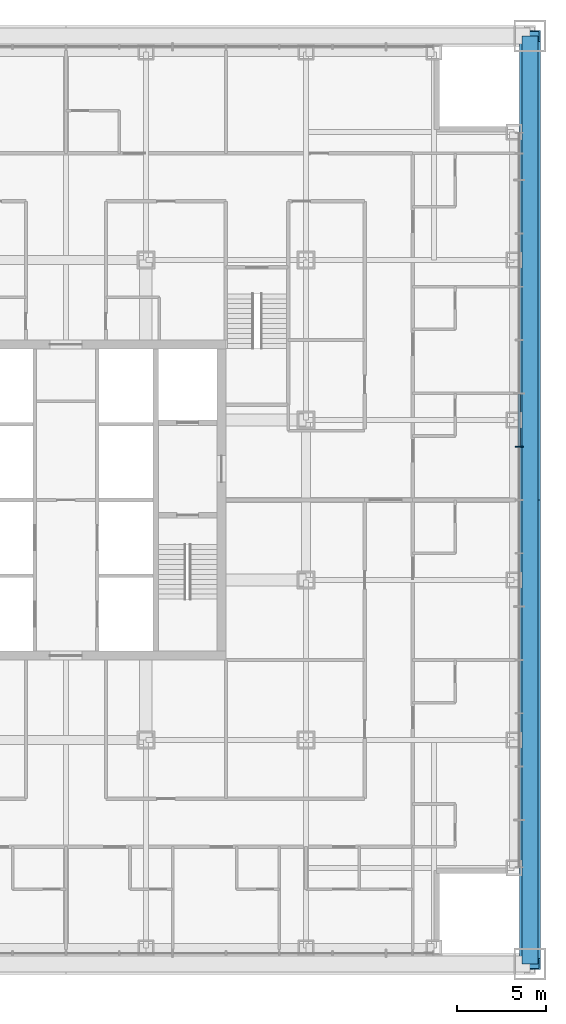
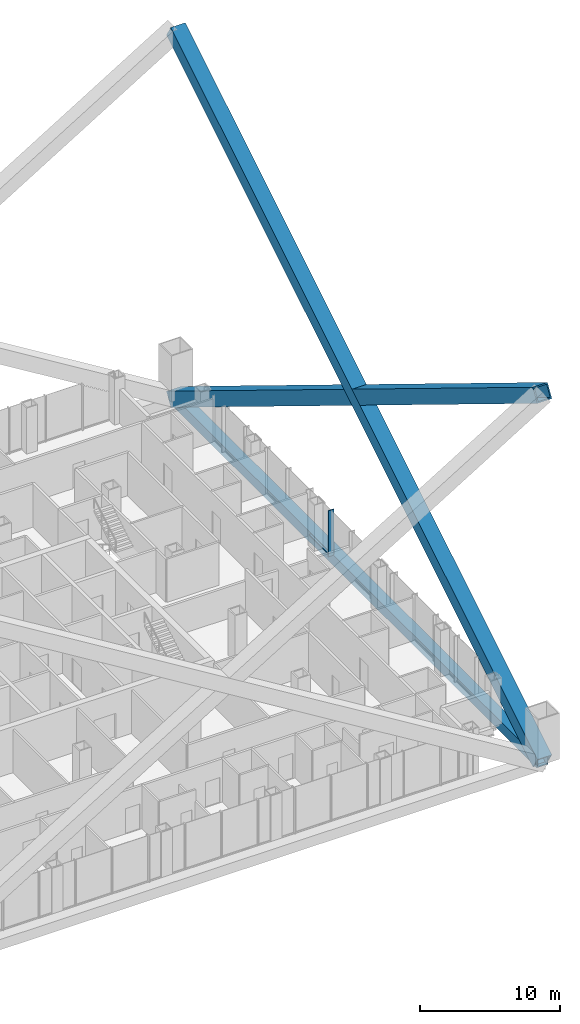
# One storey, part 7 of 21: 5 members, 1 element without a shape of its own.
"""IFC4 building model written with IfcOpenShell, lengths in metres."""

import ifcopenshell
import ifcopenshell.guid

model = None  # the IFC model being written
_history = None  # IfcOwnerHistory: only IFC2X3 demands one
_inside = {}  # id of a spatial element -> (the spatial element, [elements in it])
_under = {}  # id of a project, library or spatial element -> (it, [spatial elements below it])
_declared = {}  # id of a project -> (the project, [libraries it declares])
_typed = {}  # id of a type object -> (the type object, [elements of that type])
_made_of = {}  # id of a material, layer set ... -> (it, [elements and type objects made of it])


def new_model(schema):
    """Start an empty IFC model of exactly this schema.

    Asked for "IFC4X3", IfcOpenShell would pick the latest addendum, in which some entities
    have other attributes; the version numbers below select the first issue.
    IFC2X3 requires an IfcOwnerHistory on every rooted entity: one is made here for all.
    """
    global model, _history
    if schema == "IFC4X3":
        model = ifcopenshell.file(schema_version=(4, 3, 0, 0))
    else:
        model = ifcopenshell.file(schema=schema)
    _inside.clear()
    _under.clear()
    _declared.clear()
    _typed.clear()
    _made_of.clear()
    _history = None
    if model.schema == "IFC2X3":
        org = make("IfcOrganization", Name="unknown")
        user = make(
            "IfcPersonAndOrganization",
            ThePerson=make("IfcPerson", FamilyName="unknown"),
            TheOrganization=org,
        )
        app = make(
            "IfcApplication",
            ApplicationDeveloper=org,
            Version="unknown",
            ApplicationFullName="unknown",
            ApplicationIdentifier="unknown",
        )
        _history = make(
            "IfcOwnerHistory",
            OwningUser=user,
            OwningApplication=app,
            ChangeAction="ADDED",
            CreationDate=0,
        )
    return model


def make(cls, **values):
    """One entity of the class cls with the attributes given. An attribute that is None is left unset."""
    return model.create_entity(
        cls, **{name: value for name, value in values.items() if value is not None}
    )


def rooted(cls, **values):
    """An entity with a GlobalId (a new one), such as an element, a storey or a relation."""
    return make(cls, GlobalId=ifcopenshell.guid.new(), OwnerHistory=_history, **values)


def si_unit(unit_type, name, prefix=None):
    """IfcSIUnit, for example si_unit("LENGTHUNIT", "METRE", prefix="MILLI")."""
    return make("IfcSIUnit", UnitType=unit_type, Prefix=prefix, Name=name)


def assignment(units):
    """IfcUnitAssignment: the units of a project."""
    return None if units is None else make("IfcUnitAssignment", Units=units)


def point(xyz):
    """IfcCartesianPoint."""
    return None if xyz is None else make("IfcCartesianPoint", Coordinates=xyz)


def direction(xyz):
    """IfcDirection."""
    return None if xyz is None else make("IfcDirection", DirectionRatios=xyz)


def frame(location, z_axis=None, x_axis=None):
    """IfcAxis2Placement3D, a coordinate frame: its origin and axes. An axis left out is left unset."""
    return make(
        "IfcAxis2Placement3D",
        Location=point(location),
        Axis=direction(z_axis),
        RefDirection=direction(x_axis),
    )


def frame_2d(location, x_axis=None):
    """IfcAxis2Placement2D, a coordinate frame in the plane: its origin and x axis."""
    return make(
        "IfcAxis2Placement2D", Location=point(location), RefDirection=direction(x_axis)
    )


def origin():
    """The frame at (0, 0, 0) with its axes left unset."""
    return frame((0.0, 0.0, 0.0))


def origin_2d():
    """The frame at (0, 0) in the plane with its x axis left unset."""
    return frame_2d((0.0, 0.0))


def place(relative_to, where):
    """IfcLocalPlacement: puts the frame where relative to a parent placement (None: the world)."""
    return make(
        "IfcLocalPlacement", PlacementRelTo=relative_to, RelativePlacement=where
    )


def context(
    kind, dimensions, precision=None, world=None, true_north=None, identifier=None
):
    """IfcGeometricRepresentationContext, for example the 3D "Model" context."""
    return make(
        "IfcGeometricRepresentationContext",
        ContextIdentifier=identifier,
        ContextType=kind,
        CoordinateSpaceDimension=dimensions,
        Precision=precision,
        WorldCoordinateSystem=world,
        TrueNorth=true_north,
    )


def subcontext(parent, identifier, kind, view, scale=None):
    """IfcGeometricRepresentationSubContext, for example "Body" below "Model"."""
    return make(
        "IfcGeometricRepresentationSubContext",
        ContextIdentifier=identifier,
        ContextType=kind,
        ParentContext=parent,
        TargetScale=scale,
        TargetView=view,
    )


def project(units=None, contexts=None):
    """IfcProject with its units and contexts."""
    return rooted(
        "IfcProject",
        Name="project",
        RepresentationContexts=contexts,
        UnitsInContext=assignment(units),
    )


def spatial(cls, under=None, at=None, **own):
    """A site, building, storey or space (cls), placed at a placement, below another one or the project."""
    s = rooted(cls, ObjectPlacement=at, **own)
    if under is not None:
        _under.setdefault(under.id(), (under, []))[1].append(s)
    return s


def profile(cls, at=None, kind="AREA", **sizes):
    """A parametric profile (cls). Its sizes go by their IFC names, for example OverallWidth=200.0."""
    return make(cls, ProfileType=kind, Position=at, **sizes)


def rectangle(**sizes):
    """IfcRectangleProfileDef."""
    return profile("IfcRectangleProfileDef", **sizes)


def hollow_rectangle(**sizes):
    """IfcRectangleHollowProfileDef."""
    return profile("IfcRectangleHollowProfileDef", **sizes)


def extrude(swept, where, along, depth):
    """IfcExtrudedAreaSolid: the profile swept, set in the frame where, extruded along a direction by depth."""
    return make(
        "IfcExtrudedAreaSolid",
        SweptArea=swept,
        Position=where,
        ExtrudedDirection=direction(along),
        Depth=depth,
    )


def shape(context_of_items, identifier, shape_type, items):
    """IfcShapeRepresentation: the items that make up one representation, for example the "Body"."""
    return make(
        "IfcShapeRepresentation",
        ContextOfItems=context_of_items,
        RepresentationIdentifier=identifier,
        RepresentationType=shape_type,
        Items=items,
    )


def material(Name=None, Category=None):
    """IfcMaterial."""
    return make("IfcMaterial", Name=Name, Category=Category)


def layer(
    of_material, thickness, ventilated=None, Name=None, Category=None, Priority=None
):
    """IfcMaterialLayer: one layer of a wall or slab, of a material (None: an air gap)."""
    return make(
        "IfcMaterialLayer",
        Material=of_material,
        LayerThickness=thickness,
        IsVentilated=ventilated,
        Name=Name,
        Category=Category,
        Priority=Priority,
    )


def layer_set(layers, Name=None):
    """IfcMaterialLayerSet."""
    return make("IfcMaterialLayerSet", MaterialLayers=layers, LayerSetName=Name)


def material_profile(
    of_material, cross_section, Name=None, Category=None, Priority=None
):
    """IfcMaterialProfile: a cross section and its material."""
    return make(
        "IfcMaterialProfile",
        Name=Name,
        Material=of_material,
        Profile=cross_section,
        Priority=Priority,
        Category=Category,
    )


def profile_set(profiles, Name=None, composite=None):
    """IfcMaterialProfileSet."""
    return make(
        "IfcMaterialProfileSet",
        Name=Name,
        MaterialProfiles=profiles,
        CompositeProfile=composite,
    )


def made_of(thing, what):
    """Note that an element or type object is made of a material, layer set ...; save() writes the relation."""
    if what is not None:
        _made_of.setdefault(what.id(), (what, []))[1].append(thing)
    return thing


def type_object(cls, material=None, **own):
    """A type object (cls), such as IfcWallType, which elements share."""
    return made_of(rooted(cls, **own), material)


def element(
    cls,
    number,
    at=None,
    inside=None,
    cuts=None,
    type_object=None,
    material=None,
    context=None,
    identifier="Body",
    shape_type=None,
    held_by="IfcProductDefinitionShape",
    body=None,
    shapes=None,
    **own,
):
    """One element of the class cls, such as IfcWall. Its Tag is "e" and its number.

    at: its placement. inside: the storey or other place that contains it. cuts: it is an
    opening in that element (IfcRelVoidsElement). A single representation is given by context,
    identifier, shape_type and body (its items); several are given by shapes. held_by: the class
    of the entity that holds the representations. save() writes the other relations.
    """
    e = rooted(cls, Tag="e%d" % number, ObjectPlacement=at, **own)
    if body is not None:
        shapes = [shape(context, identifier, shape_type, body)]
    if shapes is not None:
        e.Representation = make(held_by, Representations=shapes)
    if inside is not None:
        _inside.setdefault(inside.id(), (inside, []))[1].append(e)
    if cuts is not None:
        rooted(
            "IfcRelVoidsElement", RelatingBuildingElement=cuts, RelatedOpeningElement=e
        )
    if type_object is not None:
        _typed.setdefault(type_object.id(), (type_object, []))[1].append(e)
    return made_of(e, material)


def aggregate(whole, parts):
    """IfcRelAggregates: a whole, such as a stair, and the parts it consists of."""
    return rooted("IfcRelAggregates", RelatingObject=whole, RelatedObjects=parts)


def save(model, path):
    """Write the relations noted so far, then the file.

    IfcRelAggregates (storeys below a building ...), IfcRelContainedInSpatialStructure (elements
    in a storey), IfcRelDefinesByType, IfcRelAssociatesMaterial and IfcRelDeclares: one each for
    every whole, place, type object, material and project.
    """
    for whole, parts in _under.values():
        aggregate(whole, parts)
    for where, things in _inside.values():
        rooted(
            "IfcRelContainedInSpatialStructure",
            RelatedElements=things,
            RelatingStructure=where,
        )
    for kind, things in _typed.values():
        rooted("IfcRelDefinesByType", RelatedObjects=things, RelatingType=kind)
    for what, things in _made_of.values():
        rooted("IfcRelAssociatesMaterial", RelatedObjects=things, RelatingMaterial=what)
    for by, libraries in _declared.values():
        rooted("IfcRelDeclares", RelatingContext=by, RelatedDefinitions=libraries)
    model.write(path)


model = new_model("IFC4")

# Units and contexts
model_context = context("Model", 3, precision=1e-05, world=origin(), true_north=direction((0.0, 1.0)))
body_context = subcontext(model_context, "Body", "Model", "MODEL_VIEW")
ifc_project = project(units=[si_unit("LENGTHUNIT", "METRE"), si_unit("AREAUNIT", "SQUARE_METRE"), si_unit("VOLUMEUNIT", "CUBIC_METRE"), si_unit("PLANEANGLEUNIT", "RADIAN"), si_unit("MASSUNIT", "GRAM", prefix="KILO")], contexts=[model_context])

# Site, building, storey
site_placement = place(None, origin())
site = spatial("IfcSite", under=ifc_project, at=site_placement, CompositionType="ELEMENT")
building_placement = place(site_placement, origin())
building = spatial("IfcBuilding", under=site, at=building_placement, Name="Malebo Sky Hospital", CompositionType="ELEMENT")
storey_placement = place(building_placement, frame((0.0, 0.0, 31.0)))
storey = spatial("IfcBuildingStorey", under=building, at=storey_placement, Name="L06", CompositionType="ELEMENT", Elevation=31.0)

# Curtain wall, members
ifc_material_1 = material(Name="Anodised aluminium, natural silver", Category="aluminium")
ifc_layer = layer(ifc_material_1, 0.25)
ifc_layer_set = layer_set([ifc_layer], Name="WARD CURTAIN WALL EAST AND WEST")
curtain_wall_type = type_object("IfcCurtainWallType", Name="WARD CURTAIN WALL EAST AND WEST", PredefinedType="NOTDEFINED", material=ifc_layer_set)
curtain_wall_placement = place(storey_placement, origin())
curtain_wall = element("IfcCurtainWall", 1, at=curtain_wall_placement, inside=storey, type_object=curtain_wall_type, Name="EW curtain wall E", PredefinedType="NOTDEFINED")
ifc_material_profile_1 = material_profile(ifc_material_1, rectangle(XDim=0.14990234375, YDim=0.10009765625, at=origin_2d()), Name="ALUMINIUM TRANSOM 150x100")
ifc_profile_set_1 = profile_set([ifc_material_profile_1], Name="Anodised aluminium, natural silver")
member_type_1 = type_object("IfcMemberType", Name="ALUMINIUM TRANSOM 150x100", PredefinedType="USERDEFINED", material=ifc_profile_set_1)
member_1_placement = place(storey_placement, frame((85.5, 67.96240234375, 0.050048828125), z_axis=(0.0, -1.0, 0.0), x_axis=(1.0, 0.0, 0.0)))
member_1 = element("IfcMember", 2, at=member_1_placement, type_object=member_type_1, Name="Transom 7", ObjectType="TRANSOM", PredefinedType="USERDEFINED", context=body_context, shape_type="SweptSolid", body=[
    extrude(rectangle(XDim=0.14990234375, YDim=0.10009765625, at=origin_2d()), origin(), (0.0, 0.0, 1.0), 2.9248046875),
])
ifc_material_profile_2 = material_profile(ifc_material_1, rectangle(XDim=0.074951171875, YDim=0.449951171875, at=origin_2d()), Name="CW2 ALUMINIUM FIN MULLION 75x450")
ifc_profile_set_2 = profile_set([ifc_material_profile_2], Name="Anodised aluminium, natural silver")
member_type_2 = type_object("IfcMemberType", Name="CW2 ALUMINIUM FIN MULLION 75x450", PredefinedType="MULLION", material=ifc_profile_set_2)
member_2_placement = place(storey_placement, frame((85.5, 65.0, 0.0), z_axis=(0.0, 0.0, 1.0), x_axis=(0.0, -1.0, 0.0)))
member_2 = element("IfcMember", 3, at=member_2_placement, type_object=member_type_2, Name="Fin mullion 8", PredefinedType="MULLION", context=body_context, shape_type="SweptSolid", body=[
    extrude(rectangle(XDim=0.074951171875, YDim=0.449951171875, at=origin_2d()), origin(), (0.0, 0.0, 1.0), 4.0),
])
aggregate(curtain_wall, [member_2, member_1])

# Members
ifc_material_2 = material(Name="Steel S460", Category="steel")
ifc_material_profile_3 = material_profile(ifc_material_2, hollow_rectangle(XDim=1.199951171875, YDim=1.199951171875, WallThickness=0.10009765625, at=origin_2d()), Name="BOX 1200x1200x100")
ifc_profile_set_3 = profile_set([ifc_material_profile_3], Name="Steel S460")
member_type_3 = type_object("IfcMemberType", Name="MEGA BRACE BOX 1200x1200x100", PredefinedType="BRACE", material=ifc_profile_set_3)
for number, where, z_axis, x_axis, name in (
    (4, (86.10009765625, 35.89990234375, -0.39990234375), (0.0, 0.85255517375, 0.522637231464), (-1.0, 0.0, 0.0), "Mega brace A1E1 L06-L14"),
    (5, (86.10009765625, 88.10009765625, -0.39990234375), (0.0, -0.85255517375, 0.522637231464), (1.0, 0.0, 0.0), "Mega brace A1E2 L06-L14"),
):
    element("IfcMember", number, at=place(storey_placement, frame(where, z_axis=z_axis, x_axis=x_axis)), inside=storey, type_object=member_type_3, Name=name, PredefinedType="BRACE", context=body_context, shape_type="SweptSolid", body=[
        extrude(hollow_rectangle(XDim=1.199951171875, YDim=1.199951171875, WallThickness=0.10009765625, at=origin_2d()), origin(), (0.0, 0.0, 1.0), 61.22802734375),
    ])
ifc_material_profile_4 = material_profile(ifc_material_2, hollow_rectangle(XDim=0.89990234375, YDim=0.89990234375, WallThickness=0.050048828125, at=origin_2d()), Name="BOX 900x900x50")
ifc_profile_set_4 = profile_set([ifc_material_profile_4], Name="Steel S460")
member_type_4 = type_object("IfcMemberType", Name="MEGA TIE BOX 900x900x50", PredefinedType="CHORD", material=ifc_profile_set_4)
member_3_placement = place(storey_placement, frame((86.10009765625, 35.89990234375, -0.39990234375), z_axis=(0.0, 1.0, 0.0), x_axis=(-1.0, 0.0, 0.0)))
element("IfcMember", 6, at=member_3_placement, inside=storey, type_object=member_type_4, Name="Mega tie AE L06", PredefinedType="CHORD", context=body_context, shape_type="SweptSolid", body=[
    extrude(hollow_rectangle(XDim=0.89990234375, YDim=0.89990234375, WallThickness=0.050048828125, at=origin_2d()), origin(), (0.0, 0.0, 1.0), 52.2001953125),
])

save(model, "model.ifc")
